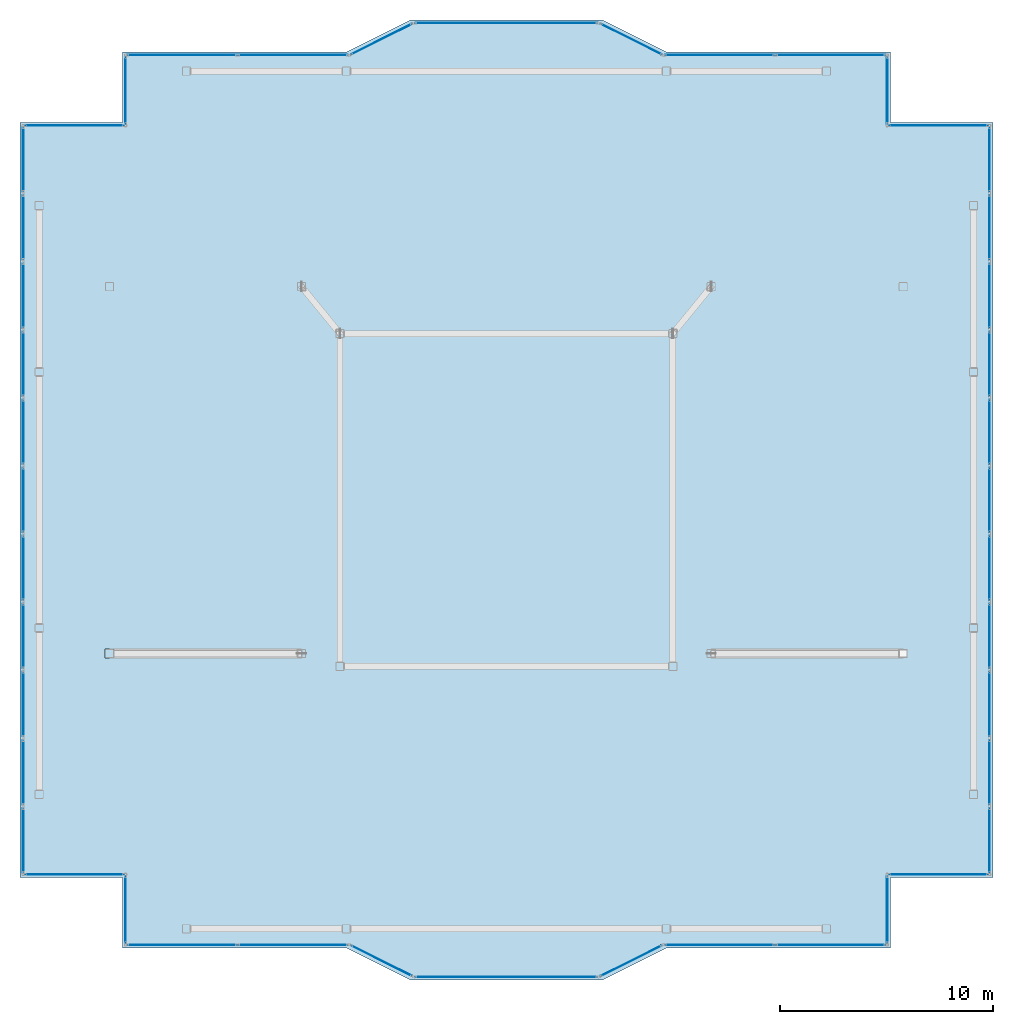
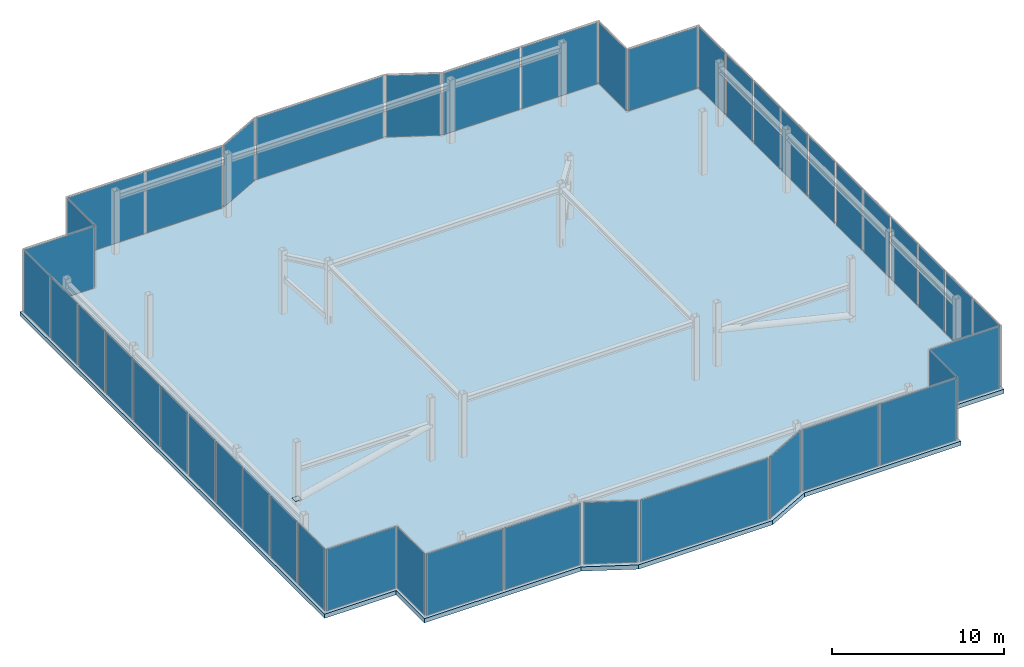
# One storey, part 13 of 14: 45 plates, 1 slab, 40 elements without a shape of their own.
"""IFC4 building model written with IfcOpenShell, lengths in metres."""

from ifc_helpers import new_model, si_unit, direction, frame, origin, origin_2d, place, context, subcontext, project, spatial, polyline, rectangle, outline, extrude, material, layer, layer_set, type_object, element, aggregate, save


model = new_model("IFC4")

# Units and contexts
model_context = context("Model", 3, precision=1e-05, world=origin(), true_north=direction((0.0, 1.0)))
body_context = subcontext(model_context, "Body", "Model", "MODEL_VIEW")
ifc_project = project(units=[si_unit("LENGTHUNIT", "METRE"), si_unit("AREAUNIT", "SQUARE_METRE"), si_unit("VOLUMEUNIT", "CUBIC_METRE"), si_unit("PLANEANGLEUNIT", "RADIAN"), si_unit("MASSUNIT", "GRAM", prefix="KILO")], contexts=[model_context])

# Site, building, storey
site_placement = place(None, origin())
site = spatial("IfcSite", under=ifc_project, at=site_placement, CompositionType="ELEMENT")
building_placement = place(site_placement, origin())
building = spatial("IfcBuilding", under=site, at=building_placement, Name="Tarnavaz Court Tower", CompositionType="ELEMENT")
storey_placement = place(building_placement, frame((0.0, 0.0, 286.050048828125)))
storey = spatial("IfcBuildingStorey", under=building, at=storey_placement, Name="C02", CompositionType="ELEMENT", Elevation=286.050048828125)

# Curtain wall, plates
ifc_material_1 = material(Name="Anodised Aluminium 6063-T6 and Solar Low-E Glazing", Category="aluminium")
ifc_layer_1 = layer(ifc_material_1, 0.2099609375)
ifc_layer_set_1 = layer_set([ifc_layer_1], Name="Anodised Aluminium 6063-T6 and Solar Low-E Glazing")
curtain_wall_type = type_object("IfcCurtainWallType", Name="CW-SYS-06", PredefinedType="NOTDEFINED", material=ifc_layer_set_1)
curtain_wall_1_placement = place(storey_placement, origin())
curtain_wall_1 = element("IfcCurtainWall", 1, at=curtain_wall_1_placement, inside=storey, type_object=curtain_wall_type, Name="C02 Slanted Crown Terracotta Curtain Wall 1", PredefinedType="NOTDEFINED")
ifc_material_2 = material(Name="Double-Glazed Solar Low-E Glass", Category="glass")
ifc_layer_2 = layer(ifc_material_2, 0.028076171875)
ifc_layer_set_2 = layer_set([ifc_layer_2], Name="Double-Glazed Solar Low-E Glass")
plate_type_1 = type_object("IfcPlateType", Name="CW-PAN-GLZ28", PredefinedType="CURTAIN_PANEL", material=ifc_layer_set_2)
plate_1_placement = place(storey_placement, frame((-9.996337890625, -20.85009765625, 0.06494140625), z_axis=(0.0, 0.0, 1.0), x_axis=(-1.0, 0.0, 0.0)))
plate_1 = element("IfcPlate", 2, at=plate_1_placement, type_object=plate_type_1, Name="CW panel 1.1", PredefinedType="CURTAIN_PANEL", context=body_context, shape_type="SweptSolid", body=[
    extrude(rectangle(XDim=5.12255859375, YDim=0.028076171875, at=origin_2d()), origin(), (0.0, 0.0, 1.0), 4.3701171875),
])
plate_2_placement = place(storey_placement, frame((-15.203857421875, -20.85009765625, 0.06494140625), z_axis=(0.0, 0.0, 1.0), x_axis=(-1.0, 0.0, 0.0)))
plate_2 = element("IfcPlate", 3, at=plate_2_placement, type_object=plate_type_1, Name="CW panel 2.1", PredefinedType="CURTAIN_PANEL", context=body_context, shape_type="SweptSolid", body=[
    extrude(rectangle(XDim=5.12255859375, YDim=0.028076171875, at=origin_2d()), origin(), (0.0, 0.0, 1.0), 4.3701171875),
])
aggregate(curtain_wall_1, [plate_1, plate_2])

# Curtain wall, plate
curtain_wall_2_placement = place(storey_placement, origin())
curtain_wall_2 = element("IfcCurtainWall", 4, at=curtain_wall_2_placement, inside=storey, type_object=curtain_wall_type, Name="C02 Slanted Crown Terracotta Curtain Wall 2", PredefinedType="NOTDEFINED")
plate_3_placement = place(storey_placement, frame((-17.85009765625, -19.199951171875, 0.06494140625), z_axis=(0.0, 0.0, 1.0), x_axis=(0.0, 1.0, 0.0)))
plate_3 = element("IfcPlate", 5, at=plate_3_placement, type_object=plate_type_1, Name="CW panel 1.1", PredefinedType="CURTAIN_PANEL", context=body_context, shape_type="SweptSolid", body=[
    extrude(rectangle(XDim=3.1298828125, YDim=0.028076171875, at=origin_2d()), origin(), (0.0, 0.0, 1.0), 4.3701171875),
])
aggregate(curtain_wall_2, [plate_3])

curtain_wall_3_placement = place(storey_placement, origin())
curtain_wall_3 = element("IfcCurtainWall", 6, at=curtain_wall_3_placement, inside=storey, type_object=curtain_wall_type, Name="C02 Slanted Crown Terracotta Curtain Wall 3", PredefinedType="NOTDEFINED")
plate_4_placement = place(storey_placement, frame((-20.25, -17.550048828125, 0.06494140625), z_axis=(0.0, 0.0, 1.0), x_axis=(-1.0, 0.0, 0.0)))
plate_4 = element("IfcPlate", 7, at=plate_4_placement, type_object=plate_type_1, Name="CW panel 1.1", PredefinedType="CURTAIN_PANEL", context=body_context, shape_type="SweptSolid", body=[
    extrude(rectangle(XDim=4.6298828125, YDim=0.028076171875, at=origin_2d()), origin(), (0.0, 0.0, 1.0), 4.3701171875),
])
aggregate(curtain_wall_3, [plate_4])

curtain_wall_4_placement = place(storey_placement, origin())
curtain_wall_4 = element("IfcCurtainWall", 8, at=curtain_wall_4_placement, inside=storey, type_object=curtain_wall_type, Name="C02 Slanted Crown Terracotta Curtain Wall 4", PredefinedType="NOTDEFINED")
plate_5_placement = place(storey_placement, frame((-22.64990234375, -15.95458984375, 0.06494140625), z_axis=(0.0, 0.0, 1.0), x_axis=(0.0, 1.0, 0.0)))
plate_5 = element("IfcPlate", 9, at=plate_5_placement, type_object=plate_type_1, Name="CW panel 1.1", PredefinedType="CURTAIN_PANEL", context=body_context, shape_type="SweptSolid", body=[
    extrude(rectangle(XDim=3.02099609375, YDim=0.028076171875, at=origin_2d()), origin(), (0.0, 0.0, 1.0), 4.3701171875),
])
aggregate(curtain_wall_4, [plate_5])

curtain_wall_5_placement = place(storey_placement, origin())
curtain_wall_5 = element("IfcCurtainWall", 10, at=curtain_wall_5_placement, inside=storey, type_object=curtain_wall_type, Name="C02 Slanted Crown Terracotta Curtain Wall 5", PredefinedType="NOTDEFINED")
plate_6_placement = place(storey_placement, frame((-22.64990234375, -12.763671875, 0.06494140625), z_axis=(0.0, 0.0, 1.0), x_axis=(0.0, 1.0, 0.0)))
plate_6 = element("IfcPlate", 11, at=plate_6_placement, type_object=plate_type_1, Name="CW panel 1.1", PredefinedType="CURTAIN_PANEL", context=body_context, shape_type="SweptSolid", body=[
    extrude(rectangle(XDim=3.02099609375, YDim=0.028076171875, at=origin_2d()), origin(), (0.0, 0.0, 1.0), 4.3701171875),
])
aggregate(curtain_wall_5, [plate_6])

curtain_wall_6_placement = place(storey_placement, origin())
curtain_wall_6 = element("IfcCurtainWall", 12, at=curtain_wall_6_placement, inside=storey, type_object=curtain_wall_type, Name="C02 Slanted Crown Terracotta Curtain Wall 6", PredefinedType="NOTDEFINED")
plate_7_placement = place(storey_placement, frame((-22.64990234375, -9.57275390625, 0.06494140625), z_axis=(0.0, 0.0, 1.0), x_axis=(0.0, 1.0, 0.0)))
plate_7 = element("IfcPlate", 13, at=plate_7_placement, type_object=plate_type_1, Name="CW panel 1.1", PredefinedType="CURTAIN_PANEL", context=body_context, shape_type="SweptSolid", body=[
    extrude(rectangle(XDim=3.02099609375, YDim=0.028076171875, at=origin_2d()), origin(), (0.0, 0.0, 1.0), 4.3701171875),
])
aggregate(curtain_wall_6, [plate_7])

curtain_wall_7_placement = place(storey_placement, origin())
curtain_wall_7 = element("IfcCurtainWall", 14, at=curtain_wall_7_placement, inside=storey, type_object=curtain_wall_type, Name="C02 Slanted Crown Terracotta Curtain Wall 7", PredefinedType="NOTDEFINED")
plate_8_placement = place(storey_placement, frame((-22.64990234375, -6.3818359375, 0.06494140625), z_axis=(0.0, 0.0, 1.0), x_axis=(0.0, 1.0, 0.0)))
plate_8 = element("IfcPlate", 15, at=plate_8_placement, type_object=plate_type_1, Name="CW panel 1.1", PredefinedType="CURTAIN_PANEL", context=body_context, shape_type="SweptSolid", body=[
    extrude(rectangle(XDim=3.02099609375, YDim=0.028076171875, at=origin_2d()), origin(), (0.0, 0.0, 1.0), 4.3701171875),
])
aggregate(curtain_wall_7, [plate_8])

curtain_wall_8_placement = place(storey_placement, origin())
curtain_wall_8 = element("IfcCurtainWall", 16, at=curtain_wall_8_placement, inside=storey, type_object=curtain_wall_type, Name="C02 Slanted Crown Terracotta Curtain Wall 8", PredefinedType="NOTDEFINED")
plate_9_placement = place(storey_placement, frame((-22.64990234375, -3.19091796875, 0.06494140625), z_axis=(0.0, 0.0, 1.0), x_axis=(0.0, 1.0, 0.0)))
plate_9 = element("IfcPlate", 17, at=plate_9_placement, type_object=plate_type_1, Name="CW panel 1.1", PredefinedType="CURTAIN_PANEL", context=body_context, shape_type="SweptSolid", body=[
    extrude(rectangle(XDim=3.02099609375, YDim=0.028076171875, at=origin_2d()), origin(), (0.0, 0.0, 1.0), 4.3701171875),
])
aggregate(curtain_wall_8, [plate_9])

curtain_wall_9_placement = place(storey_placement, origin())
curtain_wall_9 = element("IfcCurtainWall", 18, at=curtain_wall_9_placement, inside=storey, type_object=curtain_wall_type, Name="C02 Slanted Crown Terracotta Curtain Wall 9", PredefinedType="NOTDEFINED")
plate_10_placement = place(storey_placement, frame((-22.64990234375, 0.0, 0.06494140625), z_axis=(0.0, 0.0, 1.0), x_axis=(0.0, 1.0, 0.0)))
plate_10 = element("IfcPlate", 19, at=plate_10_placement, type_object=plate_type_1, Name="CW panel 1.1", PredefinedType="CURTAIN_PANEL", context=body_context, shape_type="SweptSolid", body=[
    extrude(rectangle(XDim=3.02099609375, YDim=0.028076171875, at=origin_2d()), origin(), (0.0, 0.0, 1.0), 4.3701171875),
])
aggregate(curtain_wall_9, [plate_10])

curtain_wall_10_placement = place(storey_placement, origin())
curtain_wall_10 = element("IfcCurtainWall", 20, at=curtain_wall_10_placement, inside=storey, type_object=curtain_wall_type, Name="C02 Slanted Crown Terracotta Curtain Wall 10", PredefinedType="NOTDEFINED")
plate_11_placement = place(storey_placement, frame((-22.64990234375, 3.19091796875, 0.06494140625), z_axis=(0.0, 0.0, 1.0), x_axis=(0.0, 1.0, 0.0)))
plate_11 = element("IfcPlate", 21, at=plate_11_placement, type_object=plate_type_1, Name="CW panel 1.1", PredefinedType="CURTAIN_PANEL", context=body_context, shape_type="SweptSolid", body=[
    extrude(rectangle(XDim=3.02099609375, YDim=0.028076171875, at=origin_2d()), origin(), (0.0, 0.0, 1.0), 4.3701171875),
])
aggregate(curtain_wall_10, [plate_11])

curtain_wall_11_placement = place(storey_placement, origin())
curtain_wall_11 = element("IfcCurtainWall", 22, at=curtain_wall_11_placement, inside=storey, type_object=curtain_wall_type, Name="C02 Slanted Crown Terracotta Curtain Wall 11", PredefinedType="NOTDEFINED")
plate_12_placement = place(storey_placement, frame((-22.64990234375, 6.3818359375, 0.06494140625), z_axis=(0.0, 0.0, 1.0), x_axis=(0.0, 1.0, 0.0)))
plate_12 = element("IfcPlate", 23, at=plate_12_placement, type_object=plate_type_1, Name="CW panel 1.1", PredefinedType="CURTAIN_PANEL", context=body_context, shape_type="SweptSolid", body=[
    extrude(rectangle(XDim=3.02099609375, YDim=0.028076171875, at=origin_2d()), origin(), (0.0, 0.0, 1.0), 4.3701171875),
])
aggregate(curtain_wall_11, [plate_12])

curtain_wall_12_placement = place(storey_placement, origin())
curtain_wall_12 = element("IfcCurtainWall", 24, at=curtain_wall_12_placement, inside=storey, type_object=curtain_wall_type, Name="C02 Slanted Crown Terracotta Curtain Wall 12", PredefinedType="NOTDEFINED")
plate_13_placement = place(storey_placement, frame((-22.64990234375, 9.57275390625, 0.06494140625), z_axis=(0.0, 0.0, 1.0), x_axis=(0.0, 1.0, 0.0)))
plate_13 = element("IfcPlate", 25, at=plate_13_placement, type_object=plate_type_1, Name="CW panel 1.1", PredefinedType="CURTAIN_PANEL", context=body_context, shape_type="SweptSolid", body=[
    extrude(rectangle(XDim=3.02099609375, YDim=0.028076171875, at=origin_2d()), origin(), (0.0, 0.0, 1.0), 4.3701171875),
])
aggregate(curtain_wall_12, [plate_13])

curtain_wall_13_placement = place(storey_placement, origin())
curtain_wall_13 = element("IfcCurtainWall", 26, at=curtain_wall_13_placement, inside=storey, type_object=curtain_wall_type, Name="C02 Slanted Crown Terracotta Curtain Wall 13", PredefinedType="NOTDEFINED")
plate_14_placement = place(storey_placement, frame((-22.64990234375, 12.763671875, 0.06494140625), z_axis=(0.0, 0.0, 1.0), x_axis=(0.0, 1.0, 0.0)))
plate_14 = element("IfcPlate", 27, at=plate_14_placement, type_object=plate_type_1, Name="CW panel 1.1", PredefinedType="CURTAIN_PANEL", context=body_context, shape_type="SweptSolid", body=[
    extrude(rectangle(XDim=3.02099609375, YDim=0.028076171875, at=origin_2d()), origin(), (0.0, 0.0, 1.0), 4.3701171875),
])
aggregate(curtain_wall_13, [plate_14])

curtain_wall_14_placement = place(storey_placement, origin())
curtain_wall_14 = element("IfcCurtainWall", 28, at=curtain_wall_14_placement, inside=storey, type_object=curtain_wall_type, Name="C02 Slanted Crown Terracotta Curtain Wall 14", PredefinedType="NOTDEFINED")
plate_15_placement = place(storey_placement, frame((-22.64990234375, 15.95458984375, 0.06494140625), z_axis=(0.0, 0.0, 1.0), x_axis=(0.0, 1.0, 0.0)))
plate_15 = element("IfcPlate", 29, at=plate_15_placement, type_object=plate_type_1, Name="CW panel 1.1", PredefinedType="CURTAIN_PANEL", context=body_context, shape_type="SweptSolid", body=[
    extrude(rectangle(XDim=3.02099609375, YDim=0.028076171875, at=origin_2d()), origin(), (0.0, 0.0, 1.0), 4.3701171875),
])
aggregate(curtain_wall_14, [plate_15])

curtain_wall_15_placement = place(storey_placement, origin())
curtain_wall_15 = element("IfcCurtainWall", 30, at=curtain_wall_15_placement, inside=storey, type_object=curtain_wall_type, Name="C02 Slanted Crown Terracotta Curtain Wall 15", PredefinedType="NOTDEFINED")
plate_16_placement = place(storey_placement, frame((-20.25, 17.550048828125, 0.06494140625), z_axis=(0.0, 0.0, 1.0), x_axis=(1.0, 0.0, 0.0)))
plate_16 = element("IfcPlate", 31, at=plate_16_placement, type_object=plate_type_1, Name="CW panel 1.1", PredefinedType="CURTAIN_PANEL", context=body_context, shape_type="SweptSolid", body=[
    extrude(rectangle(XDim=4.6298828125, YDim=0.028076171875, at=origin_2d()), origin(), (0.0, 0.0, 1.0), 4.3701171875),
])
aggregate(curtain_wall_15, [plate_16])

curtain_wall_16_placement = place(storey_placement, origin())
curtain_wall_16 = element("IfcCurtainWall", 32, at=curtain_wall_16_placement, inside=storey, type_object=curtain_wall_type, Name="C02 Slanted Crown Terracotta Curtain Wall 16", PredefinedType="NOTDEFINED")
plate_17_placement = place(storey_placement, frame((-17.85009765625, 19.199951171875, 0.06494140625), z_axis=(0.0, 0.0, 1.0), x_axis=(0.0, 1.0, 0.0)))
plate_17 = element("IfcPlate", 33, at=plate_17_placement, type_object=plate_type_1, Name="CW panel 1.1", PredefinedType="CURTAIN_PANEL", context=body_context, shape_type="SweptSolid", body=[
    extrude(rectangle(XDim=3.1298828125, YDim=0.028076171875, at=origin_2d()), origin(), (0.0, 0.0, 1.0), 4.3701171875),
])
aggregate(curtain_wall_16, [plate_17])

# Curtain wall, plates
curtain_wall_17_placement = place(storey_placement, origin())
curtain_wall_17 = element("IfcCurtainWall", 34, at=curtain_wall_17_placement, inside=storey, type_object=curtain_wall_type, Name="C02 Slanted Crown Terracotta Curtain Wall 17", PredefinedType="NOTDEFINED")
plate_18_placement = place(storey_placement, frame((-15.203857421875, 20.85009765625, 0.06494140625), z_axis=(0.0, 0.0, 1.0), x_axis=(1.0, 0.0, 0.0)))
plate_18 = element("IfcPlate", 35, at=plate_18_placement, type_object=plate_type_1, Name="CW panel 1.1", PredefinedType="CURTAIN_PANEL", context=body_context, shape_type="SweptSolid", body=[
    extrude(rectangle(XDim=5.12255859375, YDim=0.028076171875, at=origin_2d()), origin(), (0.0, 0.0, 1.0), 4.3701171875),
])
plate_19_placement = place(storey_placement, frame((-9.996337890625, 20.85009765625, 0.06494140625), z_axis=(0.0, 0.0, 1.0), x_axis=(1.0, 0.0, 0.0)))
plate_19 = element("IfcPlate", 36, at=plate_19_placement, type_object=plate_type_1, Name="CW panel 2.1", PredefinedType="CURTAIN_PANEL", context=body_context, shape_type="SweptSolid", body=[
    extrude(rectangle(XDim=5.12255859375, YDim=0.028076171875, at=origin_2d()), origin(), (0.0, 0.0, 1.0), 4.3701171875),
])
aggregate(curtain_wall_17, [plate_18, plate_19])

# Curtain wall, plate
curtain_wall_18_placement = place(storey_placement, origin())
curtain_wall_18 = element("IfcCurtainWall", 37, at=curtain_wall_18_placement, inside=storey, type_object=curtain_wall_type, Name="C02 Slanted Crown Terracotta Curtain Wall 18", PredefinedType="NOTDEFINED")
plate_20_placement = place(storey_placement, frame((-5.85009765625, 21.60009765625, 0.06494140625), z_axis=(0.0, 0.0, 1.0), x_axis=(0.894427191001, 0.447213595499, 0.0)))
plate_20 = element("IfcPlate", 38, at=plate_20_placement, type_object=plate_type_1, Name="CW panel 1.1", PredefinedType="CURTAIN_PANEL", context=body_context, shape_type="SweptSolid", body=[
    extrude(rectangle(XDim=3.18408203125, YDim=0.028076171875, at=origin_2d()), origin(), (0.0, 0.0, 1.0), 4.3701171875),
])
aggregate(curtain_wall_18, [plate_20])

curtain_wall_19_placement = place(storey_placement, origin())
curtain_wall_19 = element("IfcCurtainWall", 39, at=curtain_wall_19_placement, inside=storey, type_object=curtain_wall_type, Name="C02 Slanted Crown Terracotta Curtain Wall 19", PredefinedType="NOTDEFINED")
plate_21_placement = place(storey_placement, frame((0.0, 22.35009765625, 0.06494140625), z_axis=(0.0, 0.0, 1.0), x_axis=(1.0, 0.0, 0.0)))
plate_21 = element("IfcPlate", 40, at=plate_21_placement, type_object=plate_type_1, Name="CW panel 1.1", PredefinedType="CURTAIN_PANEL", context=body_context, shape_type="SweptSolid", body=[
    extrude(rectangle(XDim=8.530029296875, YDim=0.028076171875, at=origin_2d()), origin(), (0.0, 0.0, 1.0), 4.3701171875),
])
aggregate(curtain_wall_19, [plate_21])

curtain_wall_20_placement = place(storey_placement, origin())
curtain_wall_20 = element("IfcCurtainWall", 41, at=curtain_wall_20_placement, inside=storey, type_object=curtain_wall_type, Name="C02 Slanted Crown Terracotta Curtain Wall 20", PredefinedType="NOTDEFINED")
plate_22_placement = place(storey_placement, frame((5.85009765625, 21.60009765625, 0.06494140625), z_axis=(0.0, 0.0, 1.0), x_axis=(0.894427191001, -0.447213595499, 0.0)))
plate_22 = element("IfcPlate", 42, at=plate_22_placement, type_object=plate_type_1, Name="CW panel 1.1", PredefinedType="CURTAIN_PANEL", context=body_context, shape_type="SweptSolid", body=[
    extrude(rectangle(XDim=3.18408203125, YDim=0.028076171875, at=origin_2d()), origin(), (0.0, 0.0, 1.0), 4.3701171875),
])
aggregate(curtain_wall_20, [plate_22])

# Curtain wall, plates
curtain_wall_21_placement = place(storey_placement, origin())
curtain_wall_21 = element("IfcCurtainWall", 43, at=curtain_wall_21_placement, inside=storey, type_object=curtain_wall_type, Name="C02 Slanted Crown Terracotta Curtain Wall 21", PredefinedType="NOTDEFINED")
plate_23_placement = place(storey_placement, frame((9.996337890625, 20.85009765625, 0.06494140625), z_axis=(0.0, 0.0, 1.0), x_axis=(1.0, 0.0, 0.0)))
plate_23 = element("IfcPlate", 44, at=plate_23_placement, type_object=plate_type_1, Name="CW panel 1.1", PredefinedType="CURTAIN_PANEL", context=body_context, shape_type="SweptSolid", body=[
    extrude(rectangle(XDim=5.12255859375, YDim=0.028076171875, at=origin_2d()), origin(), (0.0, 0.0, 1.0), 4.3701171875),
])
plate_24_placement = place(storey_placement, frame((15.203857421875, 20.85009765625, 0.06494140625), z_axis=(0.0, 0.0, 1.0), x_axis=(1.0, 0.0, 0.0)))
plate_24 = element("IfcPlate", 45, at=plate_24_placement, type_object=plate_type_1, Name="CW panel 2.1", PredefinedType="CURTAIN_PANEL", context=body_context, shape_type="SweptSolid", body=[
    extrude(rectangle(XDim=5.12255859375, YDim=0.028076171875, at=origin_2d()), origin(), (0.0, 0.0, 1.0), 4.3701171875),
])
aggregate(curtain_wall_21, [plate_23, plate_24])

# Curtain wall, plate
curtain_wall_22_placement = place(storey_placement, origin())
curtain_wall_22 = element("IfcCurtainWall", 46, at=curtain_wall_22_placement, inside=storey, type_object=curtain_wall_type, Name="C02 Slanted Crown Terracotta Curtain Wall 22", PredefinedType="NOTDEFINED")
plate_25_placement = place(storey_placement, frame((17.85009765625, 19.199951171875, 0.06494140625), z_axis=(0.0, 0.0, 1.0), x_axis=(0.0, -1.0, 0.0)))
plate_25 = element("IfcPlate", 47, at=plate_25_placement, type_object=plate_type_1, Name="CW panel 1.1", PredefinedType="CURTAIN_PANEL", context=body_context, shape_type="SweptSolid", body=[
    extrude(rectangle(XDim=3.1298828125, YDim=0.028076171875, at=origin_2d()), origin(), (0.0, 0.0, 1.0), 4.3701171875),
])
aggregate(curtain_wall_22, [plate_25])

curtain_wall_23_placement = place(storey_placement, origin())
curtain_wall_23 = element("IfcCurtainWall", 48, at=curtain_wall_23_placement, inside=storey, type_object=curtain_wall_type, Name="C02 Slanted Crown Terracotta Curtain Wall 23", PredefinedType="NOTDEFINED")
plate_26_placement = place(storey_placement, frame((20.25, 17.550048828125, 0.06494140625), z_axis=(0.0, 0.0, 1.0), x_axis=(1.0, 0.0, 0.0)))
plate_26 = element("IfcPlate", 49, at=plate_26_placement, type_object=plate_type_1, Name="CW panel 1.1", PredefinedType="CURTAIN_PANEL", context=body_context, shape_type="SweptSolid", body=[
    extrude(rectangle(XDim=4.6298828125, YDim=0.028076171875, at=origin_2d()), origin(), (0.0, 0.0, 1.0), 4.3701171875),
])
aggregate(curtain_wall_23, [plate_26])

curtain_wall_24_placement = place(storey_placement, origin())
curtain_wall_24 = element("IfcCurtainWall", 50, at=curtain_wall_24_placement, inside=storey, type_object=curtain_wall_type, Name="C02 Slanted Crown Terracotta Curtain Wall 24", PredefinedType="NOTDEFINED")
plate_27_placement = place(storey_placement, frame((22.64990234375, 15.95458984375, 0.06494140625), z_axis=(0.0, 0.0, 1.0), x_axis=(0.0, -1.0, 0.0)))
plate_27 = element("IfcPlate", 51, at=plate_27_placement, type_object=plate_type_1, Name="CW panel 1.1", PredefinedType="CURTAIN_PANEL", context=body_context, shape_type="SweptSolid", body=[
    extrude(rectangle(XDim=3.02099609375, YDim=0.028076171875, at=origin_2d()), origin(), (0.0, 0.0, 1.0), 4.3701171875),
])
aggregate(curtain_wall_24, [plate_27])

curtain_wall_25_placement = place(storey_placement, origin())
curtain_wall_25 = element("IfcCurtainWall", 52, at=curtain_wall_25_placement, inside=storey, type_object=curtain_wall_type, Name="C02 Slanted Crown Terracotta Curtain Wall 25", PredefinedType="NOTDEFINED")
plate_28_placement = place(storey_placement, frame((22.64990234375, 12.763671875, 0.06494140625), z_axis=(0.0, 0.0, 1.0), x_axis=(0.0, -1.0, 0.0)))
plate_28 = element("IfcPlate", 53, at=plate_28_placement, type_object=plate_type_1, Name="CW panel 1.1", PredefinedType="CURTAIN_PANEL", context=body_context, shape_type="SweptSolid", body=[
    extrude(rectangle(XDim=3.02099609375, YDim=0.028076171875, at=origin_2d()), origin(), (0.0, 0.0, 1.0), 4.3701171875),
])
aggregate(curtain_wall_25, [plate_28])

curtain_wall_26_placement = place(storey_placement, origin())
curtain_wall_26 = element("IfcCurtainWall", 54, at=curtain_wall_26_placement, inside=storey, type_object=curtain_wall_type, Name="C02 Slanted Crown Terracotta Curtain Wall 26", PredefinedType="NOTDEFINED")
plate_29_placement = place(storey_placement, frame((22.64990234375, 9.57275390625, 0.06494140625), z_axis=(0.0, 0.0, 1.0), x_axis=(0.0, -1.0, 0.0)))
plate_29 = element("IfcPlate", 55, at=plate_29_placement, type_object=plate_type_1, Name="CW panel 1.1", PredefinedType="CURTAIN_PANEL", context=body_context, shape_type="SweptSolid", body=[
    extrude(rectangle(XDim=3.02099609375, YDim=0.028076171875, at=origin_2d()), origin(), (0.0, 0.0, 1.0), 4.3701171875),
])
aggregate(curtain_wall_26, [plate_29])

curtain_wall_27_placement = place(storey_placement, origin())
curtain_wall_27 = element("IfcCurtainWall", 56, at=curtain_wall_27_placement, inside=storey, type_object=curtain_wall_type, Name="C02 Slanted Crown Terracotta Curtain Wall 27", PredefinedType="NOTDEFINED")
plate_30_placement = place(storey_placement, frame((22.64990234375, 6.3818359375, 0.06494140625), z_axis=(0.0, 0.0, 1.0), x_axis=(0.0, -1.0, 0.0)))
plate_30 = element("IfcPlate", 57, at=plate_30_placement, type_object=plate_type_1, Name="CW panel 1.1", PredefinedType="CURTAIN_PANEL", context=body_context, shape_type="SweptSolid", body=[
    extrude(rectangle(XDim=3.02099609375, YDim=0.028076171875, at=origin_2d()), origin(), (0.0, 0.0, 1.0), 4.3701171875),
])
aggregate(curtain_wall_27, [plate_30])

curtain_wall_28_placement = place(storey_placement, origin())
curtain_wall_28 = element("IfcCurtainWall", 58, at=curtain_wall_28_placement, inside=storey, type_object=curtain_wall_type, Name="C02 Slanted Crown Terracotta Curtain Wall 28", PredefinedType="NOTDEFINED")
plate_31_placement = place(storey_placement, frame((22.64990234375, 3.19091796875, 0.06494140625), z_axis=(0.0, 0.0, 1.0), x_axis=(0.0, -1.0, 0.0)))
plate_31 = element("IfcPlate", 59, at=plate_31_placement, type_object=plate_type_1, Name="CW panel 1.1", PredefinedType="CURTAIN_PANEL", context=body_context, shape_type="SweptSolid", body=[
    extrude(rectangle(XDim=3.02099609375, YDim=0.028076171875, at=origin_2d()), origin(), (0.0, 0.0, 1.0), 4.3701171875),
])
aggregate(curtain_wall_28, [plate_31])

curtain_wall_29_placement = place(storey_placement, origin())
curtain_wall_29 = element("IfcCurtainWall", 60, at=curtain_wall_29_placement, inside=storey, type_object=curtain_wall_type, Name="C02 Slanted Crown Terracotta Curtain Wall 29", PredefinedType="NOTDEFINED")
plate_32_placement = place(storey_placement, frame((22.64990234375, 0.0, 0.06494140625), z_axis=(0.0, 0.0, 1.0), x_axis=(0.0, -1.0, 0.0)))
plate_32 = element("IfcPlate", 61, at=plate_32_placement, type_object=plate_type_1, Name="CW panel 1.1", PredefinedType="CURTAIN_PANEL", context=body_context, shape_type="SweptSolid", body=[
    extrude(rectangle(XDim=3.02099609375, YDim=0.028076171875, at=origin_2d()), origin(), (0.0, 0.0, 1.0), 4.3701171875),
])
aggregate(curtain_wall_29, [plate_32])

curtain_wall_30_placement = place(storey_placement, origin())
curtain_wall_30 = element("IfcCurtainWall", 62, at=curtain_wall_30_placement, inside=storey, type_object=curtain_wall_type, Name="C02 Slanted Crown Terracotta Curtain Wall 30", PredefinedType="NOTDEFINED")
plate_33_placement = place(storey_placement, frame((22.64990234375, -3.19091796875, 0.06494140625), z_axis=(0.0, 0.0, 1.0), x_axis=(0.0, -1.0, 0.0)))
plate_33 = element("IfcPlate", 63, at=plate_33_placement, type_object=plate_type_1, Name="CW panel 1.1", PredefinedType="CURTAIN_PANEL", context=body_context, shape_type="SweptSolid", body=[
    extrude(rectangle(XDim=3.02099609375, YDim=0.028076171875, at=origin_2d()), origin(), (0.0, 0.0, 1.0), 4.3701171875),
])
aggregate(curtain_wall_30, [plate_33])

curtain_wall_31_placement = place(storey_placement, origin())
curtain_wall_31 = element("IfcCurtainWall", 64, at=curtain_wall_31_placement, inside=storey, type_object=curtain_wall_type, Name="C02 Slanted Crown Terracotta Curtain Wall 31", PredefinedType="NOTDEFINED")
plate_34_placement = place(storey_placement, frame((22.64990234375, -6.3818359375, 0.06494140625), z_axis=(0.0, 0.0, 1.0), x_axis=(0.0, -1.0, 0.0)))
plate_34 = element("IfcPlate", 65, at=plate_34_placement, type_object=plate_type_1, Name="CW panel 1.1", PredefinedType="CURTAIN_PANEL", context=body_context, shape_type="SweptSolid", body=[
    extrude(rectangle(XDim=3.02099609375, YDim=0.028076171875, at=origin_2d()), origin(), (0.0, 0.0, 1.0), 4.3701171875),
])
aggregate(curtain_wall_31, [plate_34])

curtain_wall_32_placement = place(storey_placement, origin())
curtain_wall_32 = element("IfcCurtainWall", 66, at=curtain_wall_32_placement, inside=storey, type_object=curtain_wall_type, Name="C02 Slanted Crown Terracotta Curtain Wall 32", PredefinedType="NOTDEFINED")
plate_35_placement = place(storey_placement, frame((22.64990234375, -9.57275390625, 0.06494140625), z_axis=(0.0, 0.0, 1.0), x_axis=(0.0, -1.0, 0.0)))
plate_35 = element("IfcPlate", 67, at=plate_35_placement, type_object=plate_type_1, Name="CW panel 1.1", PredefinedType="CURTAIN_PANEL", context=body_context, shape_type="SweptSolid", body=[
    extrude(rectangle(XDim=3.02099609375, YDim=0.028076171875, at=origin_2d()), origin(), (0.0, 0.0, 1.0), 4.3701171875),
])
aggregate(curtain_wall_32, [plate_35])

curtain_wall_33_placement = place(storey_placement, origin())
curtain_wall_33 = element("IfcCurtainWall", 68, at=curtain_wall_33_placement, inside=storey, type_object=curtain_wall_type, Name="C02 Slanted Crown Terracotta Curtain Wall 33", PredefinedType="NOTDEFINED")
plate_36_placement = place(storey_placement, frame((22.64990234375, -12.763671875, 0.06494140625), z_axis=(0.0, 0.0, 1.0), x_axis=(0.0, -1.0, 0.0)))
plate_36 = element("IfcPlate", 69, at=plate_36_placement, type_object=plate_type_1, Name="CW panel 1.1", PredefinedType="CURTAIN_PANEL", context=body_context, shape_type="SweptSolid", body=[
    extrude(rectangle(XDim=3.02099609375, YDim=0.028076171875, at=origin_2d()), origin(), (0.0, 0.0, 1.0), 4.3701171875),
])
aggregate(curtain_wall_33, [plate_36])

curtain_wall_34_placement = place(storey_placement, origin())
curtain_wall_34 = element("IfcCurtainWall", 70, at=curtain_wall_34_placement, inside=storey, type_object=curtain_wall_type, Name="C02 Slanted Crown Terracotta Curtain Wall 34", PredefinedType="NOTDEFINED")
plate_37_placement = place(storey_placement, frame((22.64990234375, -15.95458984375, 0.06494140625), z_axis=(0.0, 0.0, 1.0), x_axis=(0.0, -1.0, 0.0)))
plate_37 = element("IfcPlate", 71, at=plate_37_placement, type_object=plate_type_1, Name="CW panel 1.1", PredefinedType="CURTAIN_PANEL", context=body_context, shape_type="SweptSolid", body=[
    extrude(rectangle(XDim=3.02099609375, YDim=0.028076171875, at=origin_2d()), origin(), (0.0, 0.0, 1.0), 4.3701171875),
])
aggregate(curtain_wall_34, [plate_37])

curtain_wall_35_placement = place(storey_placement, origin())
curtain_wall_35 = element("IfcCurtainWall", 72, at=curtain_wall_35_placement, inside=storey, type_object=curtain_wall_type, Name="C02 Slanted Crown Terracotta Curtain Wall 35", PredefinedType="NOTDEFINED")
plate_38_placement = place(storey_placement, frame((20.25, -17.550048828125, 0.06494140625), z_axis=(0.0, 0.0, 1.0), x_axis=(-1.0, 0.0, 0.0)))
plate_38 = element("IfcPlate", 73, at=plate_38_placement, type_object=plate_type_1, Name="CW panel 1.1", PredefinedType="CURTAIN_PANEL", context=body_context, shape_type="SweptSolid", body=[
    extrude(rectangle(XDim=4.6298828125, YDim=0.028076171875, at=origin_2d()), origin(), (0.0, 0.0, 1.0), 4.3701171875),
])
aggregate(curtain_wall_35, [plate_38])

curtain_wall_36_placement = place(storey_placement, origin())
curtain_wall_36 = element("IfcCurtainWall", 74, at=curtain_wall_36_placement, inside=storey, type_object=curtain_wall_type, Name="C02 Slanted Crown Terracotta Curtain Wall 36", PredefinedType="NOTDEFINED")
plate_39_placement = place(storey_placement, frame((17.85009765625, -19.199951171875, 0.06494140625), z_axis=(0.0, 0.0, 1.0), x_axis=(0.0, -1.0, 0.0)))
plate_39 = element("IfcPlate", 75, at=plate_39_placement, type_object=plate_type_1, Name="CW panel 1.1", PredefinedType="CURTAIN_PANEL", context=body_context, shape_type="SweptSolid", body=[
    extrude(rectangle(XDim=3.1298828125, YDim=0.028076171875, at=origin_2d()), origin(), (0.0, 0.0, 1.0), 4.3701171875),
])
aggregate(curtain_wall_36, [plate_39])

# Curtain wall, plates
curtain_wall_37_placement = place(storey_placement, origin())
curtain_wall_37 = element("IfcCurtainWall", 76, at=curtain_wall_37_placement, inside=storey, type_object=curtain_wall_type, Name="C02 Slanted Crown Terracotta Curtain Wall 37", PredefinedType="NOTDEFINED")
plate_40_placement = place(storey_placement, frame((15.203857421875, -20.85009765625, 0.06494140625), z_axis=(0.0, 0.0, 1.0), x_axis=(-1.0, 0.0, 0.0)))
plate_40 = element("IfcPlate", 77, at=plate_40_placement, type_object=plate_type_1, Name="CW panel 1.1", PredefinedType="CURTAIN_PANEL", context=body_context, shape_type="SweptSolid", body=[
    extrude(rectangle(XDim=5.12255859375, YDim=0.028076171875, at=origin_2d()), origin(), (0.0, 0.0, 1.0), 4.3701171875),
])
plate_41_placement = place(storey_placement, frame((9.996337890625, -20.85009765625, 0.06494140625), z_axis=(0.0, 0.0, 1.0), x_axis=(-1.0, 0.0, 0.0)))
plate_41 = element("IfcPlate", 78, at=plate_41_placement, type_object=plate_type_1, Name="CW panel 2.1", PredefinedType="CURTAIN_PANEL", context=body_context, shape_type="SweptSolid", body=[
    extrude(rectangle(XDim=5.12255859375, YDim=0.028076171875, at=origin_2d()), origin(), (0.0, 0.0, 1.0), 4.3701171875),
])
aggregate(curtain_wall_37, [plate_40, plate_41])

# Curtain wall, plate
curtain_wall_38_placement = place(storey_placement, origin())
curtain_wall_38 = element("IfcCurtainWall", 79, at=curtain_wall_38_placement, inside=storey, type_object=curtain_wall_type, Name="C02 Slanted Crown Terracotta Curtain Wall 38", PredefinedType="NOTDEFINED")
plate_42_placement = place(storey_placement, frame((5.85009765625, -21.60009765625, 0.06494140625), z_axis=(0.0, 0.0, 1.0), x_axis=(-0.894427191001, -0.447213595499, 0.0)))
plate_42 = element("IfcPlate", 80, at=plate_42_placement, type_object=plate_type_1, Name="CW panel 1.1", PredefinedType="CURTAIN_PANEL", context=body_context, shape_type="SweptSolid", body=[
    extrude(rectangle(XDim=3.18408203125, YDim=0.028076171875, at=origin_2d()), origin(), (0.0, 0.0, 1.0), 4.3701171875),
])
aggregate(curtain_wall_38, [plate_42])

curtain_wall_39_placement = place(storey_placement, origin())
curtain_wall_39 = element("IfcCurtainWall", 81, at=curtain_wall_39_placement, inside=storey, type_object=curtain_wall_type, Name="C02 Slanted Crown Terracotta Curtain Wall 39", PredefinedType="NOTDEFINED")
plate_43_placement = place(storey_placement, frame((0.0, -22.35009765625, 0.06494140625), z_axis=(0.0, 0.0, 1.0), x_axis=(-1.0, 0.0, 0.0)))
plate_43 = element("IfcPlate", 82, at=plate_43_placement, type_object=plate_type_1, Name="CW panel 1.1", PredefinedType="CURTAIN_PANEL", context=body_context, shape_type="SweptSolid", body=[
    extrude(rectangle(XDim=8.530029296875, YDim=0.028076171875, at=origin_2d()), origin(), (0.0, 0.0, 1.0), 4.3701171875),
])
aggregate(curtain_wall_39, [plate_43])

curtain_wall_40_placement = place(storey_placement, origin())
curtain_wall_40 = element("IfcCurtainWall", 83, at=curtain_wall_40_placement, inside=storey, type_object=curtain_wall_type, Name="C02 Slanted Crown Terracotta Curtain Wall 40", PredefinedType="NOTDEFINED")
plate_44_placement = place(storey_placement, frame((-5.85009765625, -21.60009765625, 0.06494140625), z_axis=(0.0, 0.0, 1.0), x_axis=(-0.894427191001, 0.447213595499, 0.0)))
plate_44 = element("IfcPlate", 84, at=plate_44_placement, type_object=plate_type_1, Name="CW panel 1.1", PredefinedType="CURTAIN_PANEL", context=body_context, shape_type="SweptSolid", body=[
    extrude(rectangle(XDim=3.18408203125, YDim=0.028076171875, at=origin_2d()), origin(), (0.0, 0.0, 1.0), 4.3701171875),
])
aggregate(curtain_wall_40, [plate_44])

# Plate
ifc_material_3 = material(Name="Steel S355", Category="steel")
ifc_layer_3 = layer(ifc_material_3, 0.02490234375)
ifc_layer_set_3 = layer_set([ifc_layer_3], Name="Steel S355")
plate_type_2 = type_object("IfcPlateType", Name="PL-CAP-25", PredefinedType="USERDEFINED", material=ifc_layer_set_3)
plate_45_placement = place(storey_placement, frame((-18.60009765625, -7.199951171875, 0.33740234375), z_axis=(0.0, 0.0, 1.0), x_axis=(1.0, 0.0, 0.0)))
element("IfcPlate", 85, at=plate_45_placement, inside=storey, type_object=plate_type_2, Name="C02 Crown Brace Node Cap Plate W", ObjectType="CAP PLATE", PredefinedType="USERDEFINED", context=body_context, shape_type="SweptSolid", body=[
    extrude(rectangle(XDim=0.419921875, YDim=0.419921875, at=origin_2d()), origin(), (0.0, 0.0, 1.0), 0.02490234375),
])

# Slab
ifc_material_4 = material(Name="Concrete C40/50", Category="concrete")
ifc_layer_4 = layer(ifc_material_4, 0.300048828125)
ifc_layer_set_4 = layer_set([ifc_layer_4], Name="Concrete C40/50")
slab_type = type_object("IfcSlabType", Name="SL-ROOF-300", PredefinedType="ROOF", material=ifc_layer_set_4)
slab_placement = place(storey_placement, frame((0.0, 0.0, -0.300048828125)))
element("IfcSlab", 86, at=slab_placement, inside=storey, type_object=slab_type, Name="C02 Structural Floor Slab", PredefinedType="ROOF", context=body_context, shape_type="SweptSolid", body=[
    extrude(outline(polyline([(-7.5, -21.0), (-18.0, -21.0), (-18.0, -17.699951171875), (-22.800048828125, -17.699951171875), (-22.800048828125, 17.699951171875), (-18.0, 17.699951171875), (-18.0, 21.0), (-7.5, 21.0), (-4.5, 22.5), (4.5, 22.5), (7.5, 21.0), (18.0, 21.0), (18.0, 17.699951171875), (22.800048828125, 17.699951171875), (22.800048828125, -17.699951171875), (18.0, -17.699951171875), (18.0, -21.0), (7.5, -21.0), (4.5, -22.5), (-4.5, -22.5), (-7.5, -21.0)])), origin(), (0.0, 0.0, 1.0), 0.300048828125),
])

save(model, "model.ifc")
